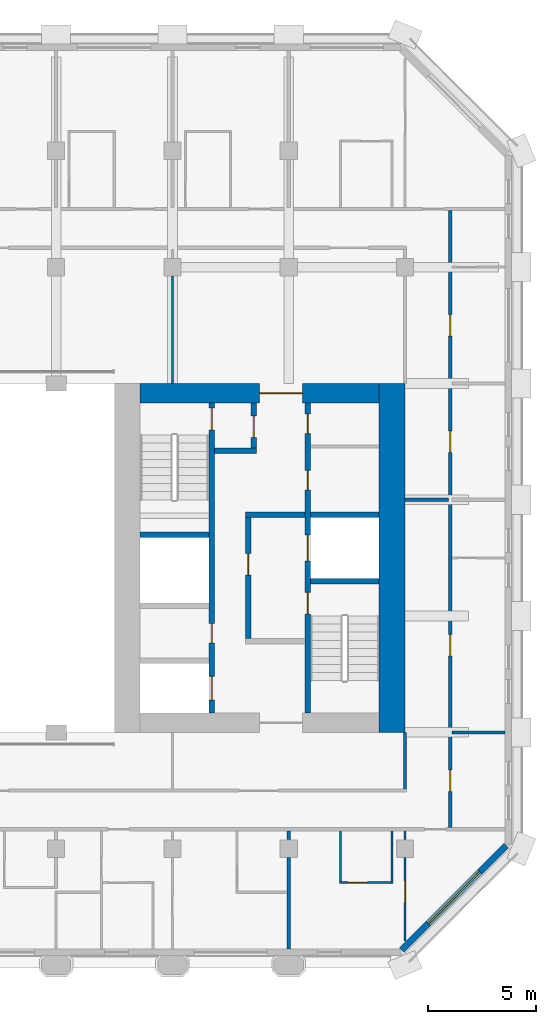
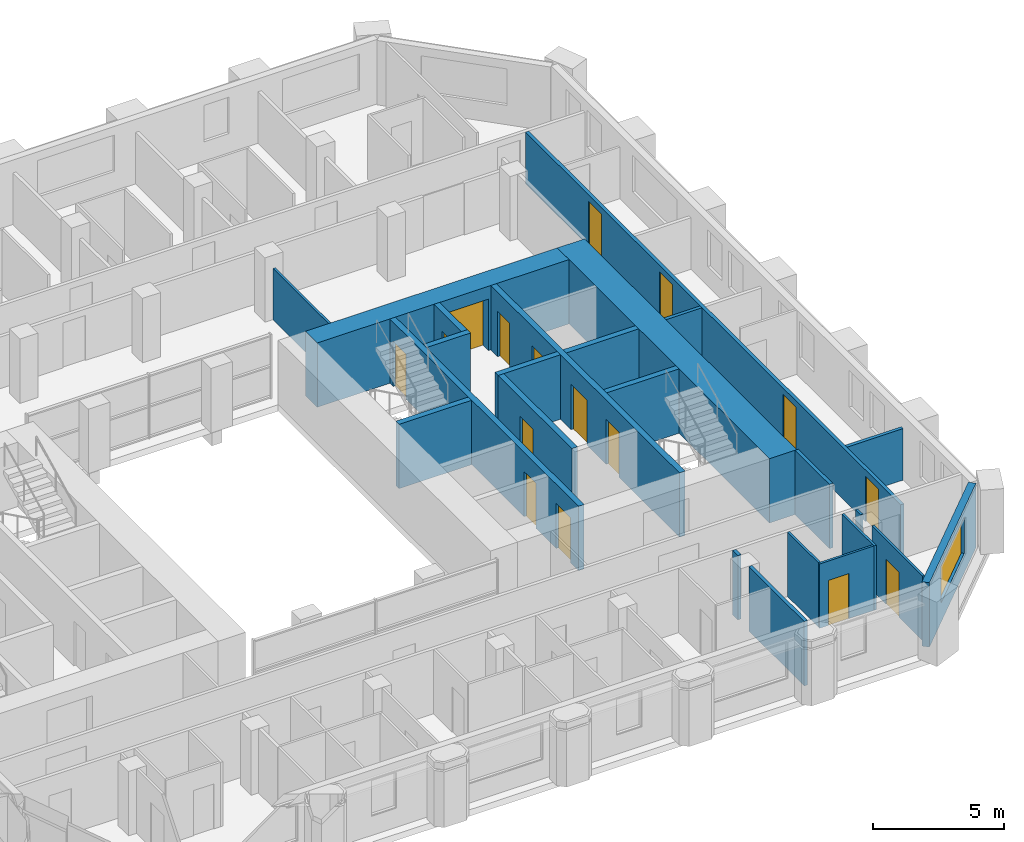
# One storey, part 6 of 12: 24 walls, 16 doors, 1 window, 17 openings.
"""IFC4 building model written with IfcOpenShell, lengths in metres."""

from ifc_helpers import new_model, si_unit, direction, frame, frame_2d, origin, place, context, subcontext, project, spatial, rectangle, extrude, material, layer, layer_set, type_object, element, fill, save


model = new_model("IFC4")

# Units and contexts
model_context = context("Model", 3, precision=1e-05, world=origin(), true_north=direction((0.0, 1.0)))
body_context = subcontext(model_context, "Body", "Model", "MODEL_VIEW")
ifc_project = project(units=[si_unit("LENGTHUNIT", "METRE"), si_unit("AREAUNIT", "SQUARE_METRE"), si_unit("VOLUMEUNIT", "CUBIC_METRE"), si_unit("PLANEANGLEUNIT", "RADIAN"), si_unit("MASSUNIT", "GRAM", prefix="KILO")], contexts=[model_context])

# Site, building, storey
site_placement = place(None, origin())
site = spatial("IfcSite", under=ifc_project, at=site_placement, CompositionType="ELEMENT")
building_placement = place(site_placement, origin())
building = spatial("IfcBuilding", under=site, at=building_placement, Name="Tabaq Tower and Sports Hall", CompositionType="ELEMENT")
storey_placement = place(building_placement, frame((0.0, 0.0, 187.300048828125)))
storey = spatial("IfcBuildingStorey", under=building, at=storey_placement, Name="L45", CompositionType="ELEMENT", Elevation=187.300048828125)

# Wall
ifc_material_1 = material(Name="Concrete C50/60", Category="concrete")
ifc_layer_1 = layer(ifc_material_1, 1.199951171875)
ifc_layer_set_1 = layer_set([ifc_layer_1], Name="Core wall 1200 Concrete C50/60")
wall_type_1 = type_object("IfcWallType", Name="Core wall 1200 Concrete C50/60", PredefinedType="SOLIDWALL", material=ifc_layer_set_1)
wall_1_placement = place(storey_placement, frame((42.60009765625, 32.39990234375, 0.0), z_axis=(0.0, 0.0, 1.0), x_axis=(0.0, -1.0, 0.0)))
element("IfcWall", 1, at=wall_1_placement, inside=storey, type_object=wall_type_1, Name="Core wall E L45", PredefinedType="SOLIDWALL", context=body_context, shape_type="SweptSolid", body=[
    extrude(rectangle(XDim=16.199951171875, YDim=1.199951171875, at=frame_2d((8.10009765625, 0.0))), origin(), (0.0, 0.0, 1.0), 3.0),
])

# Wall, opening, door
ifc_material_2 = material(Name="Concrete C50/60", Category="concrete")
ifc_layer_2 = layer(ifc_material_2, 0.89990234375)
ifc_layer_set_2 = layer_set([ifc_layer_2], Name="Core wall 900 Concrete C50/60")
wall_type_2 = type_object("IfcWallType", Name="Core wall 900 Concrete C50/60", PredefinedType="SOLIDWALL", material=ifc_layer_set_2)
wall_2_placement = place(storey_placement, frame((30.89990234375, 31.949951171875, 0.0), z_axis=(0.0, 0.0, 1.0), x_axis=(1.0, 0.0, 0.0)))
wall_2 = element("IfcWall", 2, at=wall_2_placement, inside=storey, type_object=wall_type_2, Name="Core wall E L45", PredefinedType="SOLIDWALL", context=body_context, shape_type="SweptSolid", body=[
    extrude(rectangle(XDim=11.10009765625, YDim=0.89990234375, at=frame_2d((5.550048828125, 0.0))), origin(), (0.0, 0.0, 1.0), 3.0),
])
opening_1_placement = place(wall_2_placement, frame((5.550048828125, 0.0, 0.0)))
opening_1 = element("IfcOpeningElement", 3, at=opening_1_placement, cuts=wall_2, Name="Opening PD-EL45-02", PredefinedType="OPENING", context=body_context, shape_type="SweptSolid", body=[
    extrude(rectangle(XDim=2.0, YDim=2.39990234375, at=frame_2d((1.0, 1.199951171875))), frame((0.0, 0.449951171875, 0.0), z_axis=(0.0, -1.0, 0.0), x_axis=(1.0, 0.0, 0.0)), (0.0, 0.0, 1.0), 0.89990234375),
])
ifc_material_3 = material(Name="Steel fire door", Category="steel")
door_type_1 = type_object("IfcDoorType", Name="Core entrance door 2000", OperationType="DOUBLE_DOOR_SINGLE_SWING", PredefinedType="DOOR", material=ifc_material_3)
door_1_placement = place(opening_1_placement, origin())
door_1 = element("IfcDoor", 4, at=door_1_placement, inside=storey, type_object=door_type_1, Name="Core entrance north E L45", OperationType="DOUBLE_DOOR_SINGLE_SWING", OverallHeight=2.39990234375, OverallWidth=2.0, PredefinedType="DOOR", context=body_context, shape_type="SweptSolid", body=[
    extrude(rectangle(XDim=2.0, YDim=2.39990234375, at=frame_2d((1.0, 1.199951171875))), frame((0.0, 0.02490234375, 0.0), z_axis=(0.0, -1.0, 0.0), x_axis=(1.0, 0.0, 0.0)), (0.0, 0.0, 1.0), 0.050048828125),
])
fill(opening_1, door_1)

# Wall
ifc_material_4 = material(Name="Gypsum board on steel studs", Category="steel")
ifc_layer_3 = layer(ifc_material_4, 0.10009765625)
ifc_layer_set_3 = layer_set([ifc_layer_3], Name="Partition 100 Gypsum board")
wall_type_3 = type_object("IfcWallType", Name="Partition 100 Gypsum board", PredefinedType="PARTITIONING", material=ifc_layer_set_3)
wall_3_placement = place(storey_placement, frame((32.39990234375, 32.39990234375, 0.0), z_axis=(0.0, 0.0, 1.0), x_axis=(0.0, 1.0, 0.0)))
element("IfcWall", 5, at=wall_3_placement, inside=storey, type_object=wall_type_3, Name="Partition wall L45", PredefinedType="PARTITIONING", context=body_context, shape_type="SweptSolid", body=[
    extrude(rectangle(XDim=4.97998046875, YDim=0.10009765625, at=frame_2d((2.489990234375, 0.0))), origin(), (0.0, 0.0, 1.0), 2.39990234375),
])

# Wall, opening, door
wall_4_placement = place(storey_placement, frame((43.199951171875, 6.51220703125, 0.0), z_axis=(0.0, 0.0, 1.0), x_axis=(0.0, 1.0, 0.0)))
wall_4 = element("IfcWall", 6, at=wall_4_placement, inside=storey, type_object=wall_type_3, Name="Partition wall L45", PredefinedType="PARTITIONING", context=body_context, shape_type="SweptSolid", body=[
    extrude(rectangle(XDim=3.86767578125, YDim=0.10009765625, at=frame_2d((1.933837890625, 0.0))), origin(), (0.0, 0.0, 1.0), 3.0),
])
opening_2_placement = place(wall_4_placement, frame((1.80029296875, 0.0, 0.0)))
opening_2 = element("IfcOpeningElement", 7, at=opening_2_placement, cuts=wall_4, Name="Opening L45-037", PredefinedType="OPENING", context=body_context, shape_type="SweptSolid", body=[
    extrude(rectangle(XDim=1.0, YDim=2.10009765625, at=frame_2d((0.5, 1.050048828125))), frame((0.0, 0.050048828125, 0.0), z_axis=(0.0, -1.0, 0.0), x_axis=(1.0, 0.0, 0.0)), (0.0, 0.0, 1.0), 0.10009765625),
])
ifc_material_5 = material(Name="Timber leaf in steel frame", Category="steel")
door_type_2 = type_object("IfcDoorType", Name="Internal door 1000 left hand", OperationType="SINGLE_SWING_LEFT", PredefinedType="DOOR", material=ifc_material_5)
door_2_placement = place(opening_2_placement, origin())
door_2 = element("IfcDoor", 8, at=door_2_placement, inside=storey, type_object=door_type_2, Name="Internal door L45-037", OperationType="SINGLE_SWING_LEFT", OverallHeight=2.10009765625, OverallWidth=1.0, PredefinedType="DOOR", context=body_context, shape_type="SweptSolid", body=[
    extrude(rectangle(XDim=1.0, YDim=2.10009765625, at=frame_2d((0.5, 1.050048828125))), frame((0.0, 0.02490234375, 0.0), z_axis=(0.0, -1.0, 0.0), x_axis=(1.0, 0.0, 0.0)), (0.0, 0.0, 1.0), 0.050048828125),
])
fill(opening_2, door_2)

# Walls
wall_5_placement = place(storey_placement, frame((43.199951171875, 11.219970703125, 0.0), z_axis=(0.0, 0.0, 1.0), x_axis=(0.0, 1.0, 0.0)))
element("IfcWall", 9, at=wall_5_placement, inside=storey, type_object=wall_type_3, Name="Partition wall L45", PredefinedType="PARTITIONING", context=body_context, shape_type="SweptSolid", body=[
    extrude(rectangle(XDim=0.405029296875, YDim=0.10009765625, at=frame_2d((0.20263671875, 0.0))), origin(), (0.0, 0.0, 1.0), 3.0),
])
wall_6_placement = place(storey_placement, frame((42.60009765625, 11.625, 0.0), z_axis=(0.0, 0.0, 1.0), x_axis=(0.0, -1.0, 0.0)))
element("IfcWall", 10, at=wall_6_placement, inside=storey, type_object=wall_type_3, Name="Partition wall L45", PredefinedType="PARTITIONING", context=body_context, shape_type="SweptSolid", body=[
    extrude(rectangle(XDim=2.449951171875, YDim=0.10009765625, at=frame_2d((1.22509765625, 0.0))), origin(), (0.0, 0.0, 1.0), 3.0),
])

# Wall, opening, door
wall_7_placement = place(storey_placement, frame((42.550048828125, 9.22509765625, 0.0), z_axis=(0.0, 0.0, 1.0), x_axis=(-1.0, 0.0, 0.0)))
wall_7 = element("IfcWall", 11, at=wall_7_placement, inside=storey, type_object=wall_type_3, Name="Partition wall L45", PredefinedType="PARTITIONING", context=body_context, shape_type="SweptSolid", body=[
    extrude(rectangle(XDim=2.400146484375, YDim=0.10009765625, at=frame_2d((1.2001953125, 0.0))), origin(), (0.0, 0.0, 1.0), 3.0),
])
opening_3_placement = place(wall_7_placement, frame((1.10009765625, 0.0, 0.0)))
opening_3 = element("IfcOpeningElement", 12, at=opening_3_placement, cuts=wall_7, Name="Opening L45-019", PredefinedType="OPENING", context=body_context, shape_type="SweptSolid", body=[
    extrude(rectangle(XDim=0.89990234375, YDim=2.10009765625, at=frame_2d((0.449951171875, 1.050048828125))), frame((0.0, 0.050048828125, 0.0), z_axis=(0.0, -1.0, 0.0), x_axis=(1.0, 0.0, 0.0)), (0.0, 0.0, 1.0), 0.10009765625),
])
ifc_material_6 = material(Name="Timber leaf in steel frame", Category="steel")
door_type_3 = type_object("IfcDoorType", Name="Internal door 900 left hand", OperationType="SINGLE_SWING_LEFT", PredefinedType="DOOR", material=ifc_material_6)
door_3_placement = place(opening_3_placement, origin())
door_3 = element("IfcDoor", 13, at=door_3_placement, inside=storey, type_object=door_type_3, Name="Internal door L45-019", OperationType="SINGLE_SWING_LEFT", OverallHeight=2.10009765625, OverallWidth=0.89990234375, PredefinedType="DOOR", context=body_context, shape_type="SweptSolid", body=[
    extrude(rectangle(XDim=0.89990234375, YDim=2.10009765625, at=frame_2d((0.449951171875, 1.050048828125))), frame((0.0, 0.02490234375, 0.0), z_axis=(0.0, -1.0, 0.0), x_axis=(1.0, 0.0, 0.0)), (0.0, 0.0, 1.0), 0.050048828125),
])
fill(opening_3, door_3)

# Walls
wall_8_placement = place(storey_placement, frame((40.199951171875, 9.27490234375, 0.0), z_axis=(0.0, 0.0, 1.0), x_axis=(0.0, 1.0, 0.0)))
element("IfcWall", 14, at=wall_8_placement, inside=storey, type_object=wall_type_3, Name="Partition wall L45", PredefinedType="PARTITIONING", context=body_context, shape_type="SweptSolid", body=[
    extrude(rectangle(XDim=2.35009765625, YDim=0.10009765625, at=frame_2d((1.175048828125, 0.0))), origin(), (0.0, 0.0, 1.0), 3.0),
])
ifc_material_7 = material(Name="Blockwork", Category="masonry")
ifc_layer_4 = layer(ifc_material_7, 0.14990234375)
ifc_layer_set_4 = layer_set([ifc_layer_4], Name="Separating wall 150 Blockwork")
wall_type_4 = type_object("IfcWallType", Name="Separating wall 150 Blockwork", PredefinedType="PARTITIONING", material=ifc_layer_set_4)
wall_9_placement = place(storey_placement, frame((43.199951171875, 27.0, 0.0), z_axis=(0.0, 0.0, 1.0), x_axis=(1.0, 0.0, 0.0)))
element("IfcWall", 15, at=wall_9_placement, inside=storey, type_object=wall_type_4, Name="Separating wall L45", PredefinedType="PARTITIONING", context=body_context, shape_type="SweptSolid", body=[
    extrude(rectangle(XDim=2.025146484375, YDim=0.14990234375, at=frame_2d((1.0126953125, 0.0))), origin(), (0.0, 0.0, 1.0), 2.39990234375),
])
wall_10_placement = place(storey_placement, frame((47.84912109375, 16.199951171875, 0.0), z_axis=(0.0, 0.0, 1.0), x_axis=(-1.0, 0.0, 0.0)))
element("IfcWall", 16, at=wall_10_placement, inside=storey, type_object=wall_type_4, Name="Separating wall L45", PredefinedType="PARTITIONING", context=body_context, shape_type="SweptSolid", body=[
    extrude(rectangle(XDim=2.47412109375, YDim=0.14990234375, at=frame_2d((1.237060546875, 0.0))), origin(), (0.0, 0.0, 1.0), 2.39990234375),
])
wall_11_placement = place(storey_placement, frame((37.800048828125, 6.15087890625, 0.0), z_axis=(0.0, 0.0, 1.0), x_axis=(0.0, 1.0, 0.0)))
element("IfcWall", 17, at=wall_11_placement, inside=storey, type_object=wall_type_4, Name="Separating wall L45", PredefinedType="PARTITIONING", context=body_context, shape_type="SweptSolid", body=[
    extrude(rectangle(XDim=4.22900390625, YDim=0.14990234375, at=frame_2d((2.114501953125, 0.0))), origin(), (0.0, 0.0, 1.0), 3.0),
])
wall_12_placement = place(storey_placement, frame((37.800048828125, 11.219970703125, 0.0), z_axis=(0.0, 0.0, 1.0), x_axis=(0.0, 1.0, 0.0)))
element("IfcWall", 18, at=wall_12_placement, inside=storey, type_object=wall_type_4, Name="Separating wall L45", PredefinedType="PARTITIONING", context=body_context, shape_type="SweptSolid", body=[
    extrude(rectangle(XDim=0.405029296875, YDim=0.14990234375, at=frame_2d((0.20263671875, 0.0))), origin(), (0.0, 0.0, 1.0), 3.0),
])

# Wall, openings, doors
wall_13_placement = place(storey_placement, frame((45.300048828125, 40.425048828125, 0.0), z_axis=(0.0, 0.0, 1.0), x_axis=(0.0, -1.0, 0.0)))
wall_13 = element("IfcWall", 19, at=wall_13_placement, inside=storey, type_object=wall_type_4, Name="Separating wall L45", PredefinedType="PARTITIONING", context=body_context, shape_type="SweptSolid", body=[
    extrude(rectangle(XDim=28.650146484375, YDim=0.14990234375, at=frame_2d((14.3251953125, 0.0))), origin(), (0.0, 0.0, 1.0), 2.39990234375),
])
opening_4_placement = place(wall_13_placement, frame((10.22509765625, 0.0, 0.0)))
opening_4 = element("IfcOpeningElement", 20, at=opening_4_placement, cuts=wall_13, Name="Opening L45-010", PredefinedType="OPENING", context=body_context, shape_type="SweptSolid", body=[
    extrude(rectangle(XDim=1.0, YDim=2.10009765625, at=frame_2d((0.5, 1.050048828125))), frame((0.0, 0.074951171875, 0.0), z_axis=(0.0, -1.0, 0.0), x_axis=(1.0, 0.0, 0.0)), (0.0, 0.0, 1.0), 0.14990234375),
])
opening_5_placement = place(wall_13_placement, frame((25.97509765625, 0.0, 0.0)))
opening_5 = element("IfcOpeningElement", 21, at=opening_5_placement, cuts=wall_13, Name="Opening L45-011", PredefinedType="OPENING", context=body_context, shape_type="SweptSolid", body=[
    extrude(rectangle(XDim=1.0, YDim=2.10009765625, at=frame_2d((0.5, 1.050048828125))), frame((0.0, 0.074951171875, 0.0), z_axis=(0.0, -1.0, 0.0), x_axis=(1.0, 0.0, 0.0)), (0.0, 0.0, 1.0), 0.14990234375),
])
opening_6_placement = place(wall_13_placement, frame((4.824951171875, 0.0, 0.0)))
opening_6 = element("IfcOpeningElement", 22, at=opening_6_placement, cuts=wall_13, Name="Opening L45-022", PredefinedType="OPENING", context=body_context, shape_type="SweptSolid", body=[
    extrude(rectangle(XDim=1.0, YDim=2.10009765625, at=frame_2d((0.5, 1.050048828125))), frame((0.0, 0.074951171875, 0.0), z_axis=(0.0, -1.0, 0.0), x_axis=(1.0, 0.0, 0.0)), (0.0, 0.0, 1.0), 0.14990234375),
])
opening_7_placement = place(wall_13_placement, frame((19.675048828125, 0.0, 0.0)))
opening_7 = element("IfcOpeningElement", 23, at=opening_7_placement, cuts=wall_13, Name="Opening L45-039", PredefinedType="OPENING", context=body_context, shape_type="SweptSolid", body=[
    extrude(rectangle(XDim=1.0, YDim=2.10009765625, at=frame_2d((0.5, 1.050048828125))), frame((0.0, 0.074951171875, 0.0), z_axis=(0.0, -1.0, 0.0), x_axis=(1.0, 0.0, 0.0)), (0.0, 0.0, 1.0), 0.14990234375),
])
ifc_material_8 = material(Name="Steel fire door", Category="steel")
door_type_4 = type_object("IfcDoorType", Name="Entrance door 1000 right hand", OperationType="SINGLE_SWING_RIGHT", PredefinedType="DOOR", material=ifc_material_8)
door_4_placement = place(opening_6_placement, origin())
door_4 = element("IfcDoor", 24, at=door_4_placement, inside=storey, type_object=door_type_4, Name="Entrance door L45-022", OperationType="SINGLE_SWING_RIGHT", OverallHeight=2.10009765625, OverallWidth=1.0, PredefinedType="DOOR", context=body_context, shape_type="SweptSolid", body=[
    extrude(rectangle(XDim=1.0, YDim=2.10009765625, at=frame_2d((0.5, 1.050048828125))), frame((0.0, 0.02490234375, 0.0), z_axis=(0.0, -1.0, 0.0), x_axis=(1.0, 0.0, 0.0)), (0.0, 0.0, 1.0), 0.050048828125),
])
fill(opening_6, door_4)
door_5_placement = place(opening_7_placement, origin())
door_5 = element("IfcDoor", 25, at=door_5_placement, inside=storey, type_object=door_type_4, Name="Entrance door L45-039", OperationType="SINGLE_SWING_RIGHT", OverallHeight=2.10009765625, OverallWidth=1.0, PredefinedType="DOOR", context=body_context, shape_type="SweptSolid", body=[
    extrude(rectangle(XDim=1.0, YDim=2.10009765625, at=frame_2d((0.5, 1.050048828125))), frame((0.0, 0.02490234375, 0.0), z_axis=(0.0, -1.0, 0.0), x_axis=(1.0, 0.0, 0.0)), (0.0, 0.0, 1.0), 0.050048828125),
])
fill(opening_7, door_5)
door_6_placement = place(opening_5_placement, origin())
door_6 = element("IfcDoor", 26, at=door_6_placement, inside=storey, type_object=door_type_2, Name="Internal door L45-011", OperationType="SINGLE_SWING_LEFT", OverallHeight=2.10009765625, OverallWidth=1.0, PredefinedType="DOOR", context=body_context, shape_type="SweptSolid", body=[
    extrude(rectangle(XDim=1.0, YDim=2.10009765625, at=frame_2d((0.5, 1.050048828125))), frame((0.0, 0.02490234375, 0.0), z_axis=(0.0, -1.0, 0.0), x_axis=(1.0, 0.0, 0.0)), (0.0, 0.0, 1.0), 0.050048828125),
])
fill(opening_5, door_6)
ifc_material_9 = material(Name="Timber leaf in steel frame", Category="steel")
door_type_5 = type_object("IfcDoorType", Name="Internal door 1000 right hand", OperationType="SINGLE_SWING_RIGHT", PredefinedType="DOOR", material=ifc_material_9)
door_7_placement = place(opening_4_placement, origin())
door_7 = element("IfcDoor", 27, at=door_7_placement, inside=storey, type_object=door_type_5, Name="Internal door L45-010", OperationType="SINGLE_SWING_RIGHT", OverallHeight=2.10009765625, OverallWidth=1.0, PredefinedType="DOOR", context=body_context, shape_type="SweptSolid", body=[
    extrude(rectangle(XDim=1.0, YDim=2.10009765625, at=frame_2d((0.5, 1.050048828125))), frame((0.0, 0.02490234375, 0.0), z_axis=(0.0, -1.0, 0.0), x_axis=(1.0, 0.0, 0.0)), (0.0, 0.0, 1.0), 0.050048828125),
])
fill(opening_4, door_7)

# Wall
wall_14_placement = place(storey_placement, frame((43.199951171875, 13.574951171875, 0.0), z_axis=(0.0, 0.0, 1.0), x_axis=(0.0, 1.0, 0.0)))
element("IfcWall", 28, at=wall_14_placement, inside=storey, type_object=wall_type_4, Name="Separating wall L45", PredefinedType="PARTITIONING", context=body_context, shape_type="SweptSolid", body=[
    extrude(rectangle(XDim=2.625, YDim=0.14990234375, at=frame_2d((1.3125, 0.0))), origin(), (0.0, 0.0, 1.0), 3.0),
])

# Wall, openings, doors
ifc_material_10 = material(Name="Concrete C40/50", Category="concrete")
ifc_layer_5 = layer(ifc_material_10, 0.25)
ifc_layer_set_5 = layer_set([ifc_layer_5], Name="Shaft and stair wall 250 Concrete C40/50")
wall_type_5 = type_object("IfcWallType", Name="Shaft and stair wall 250 Concrete C40/50", PredefinedType="SOLIDWALL", material=ifc_layer_set_5)
wall_15_placement = place(storey_placement, frame((38.675048828125, 17.10009765625, 0.0), z_axis=(0.0, 0.0, 1.0), x_axis=(0.0, 1.0, 0.0)))
wall_15 = element("IfcWall", 29, at=wall_15_placement, inside=storey, type_object=wall_type_5, Name="Shaft wall E L45", PredefinedType="SOLIDWALL", context=body_context, shape_type="SweptSolid", body=[
    extrude(rectangle(XDim=14.39990234375, YDim=0.25, at=frame_2d((7.199951171875, 0.0))), origin(), (0.0, 0.0, 1.0), 3.0),
])
opening_8_placement = place(wall_15_placement, frame((4.60009765625, 0.0, 0.0)))
opening_8 = element("IfcOpeningElement", 30, at=opening_8_placement, cuts=wall_15, Name="Opening SD-EL45-03", PredefinedType="OPENING", context=body_context, shape_type="SweptSolid", body=[
    extrude(rectangle(XDim=1.0, YDim=2.10009765625, at=frame_2d((0.5, 1.050048828125))), frame((0.0, 0.125, 0.0), z_axis=(0.0, -1.0, 0.0), x_axis=(1.0, 0.0, 0.0)), (0.0, 0.0, 1.0), 0.25),
])
opening_9_placement = place(wall_15_placement, frame((7.0625, 0.0, 0.0)))
opening_9 = element("IfcOpeningElement", 31, at=opening_9_placement, cuts=wall_15, Name="Opening LD-FF2-L45", PredefinedType="OPENING", context=body_context, shape_type="SweptSolid", body=[
    extrude(rectangle(XDim=1.199951171875, YDim=2.10009765625, at=frame_2d((0.60009765625, 1.050048828125))), frame((0.0, 0.125, 0.0), z_axis=(0.0, -1.0, 0.0), x_axis=(1.0, 0.0, 0.0)), (0.0, 0.0, 1.0), 0.25),
])
opening_10_placement = place(wall_15_placement, frame((10.360107421875, 0.0, 0.0)))
opening_10 = element("IfcOpeningElement", 32, at=opening_10_placement, cuts=wall_15, Name="Opening RD-EL45-09", PredefinedType="OPENING", context=body_context, shape_type="SweptSolid", body=[
    extrude(rectangle(XDim=0.89990234375, YDim=2.10009765625, at=frame_2d((0.449951171875, 1.050048828125))), frame((0.0, 0.125, 0.0), z_axis=(0.0, -1.0, 0.0), x_axis=(1.0, 0.0, 0.0)), (0.0, 0.0, 1.0), 0.25),
])
opening_11_placement = place(wall_15_placement, frame((12.972412109375, 0.0, 0.0)))
opening_11 = element("IfcOpeningElement", 33, at=opening_11_placement, cuts=wall_15, Name="Opening RD-EL45-10", PredefinedType="OPENING", context=body_context, shape_type="SweptSolid", body=[
    extrude(rectangle(XDim=0.89990234375, YDim=2.10009765625, at=frame_2d((0.449951171875, 1.050048828125))), frame((0.0, 0.125, 0.0), z_axis=(0.0, -1.0, 0.0), x_axis=(1.0, 0.0, 0.0)), (0.0, 0.0, 1.0), 0.25),
])
ifc_material_11 = material(Name="Steel fire door", Category="steel")
door_type_6 = type_object("IfcDoorType", Name="Core room door 900", OperationType="SINGLE_SWING_LEFT", PredefinedType="DOOR", material=ifc_material_11)
door_8_placement = place(opening_10_placement, origin())
door_8 = element("IfcDoor", 34, at=door_8_placement, inside=storey, type_object=door_type_6, Name="Door Housekeeping Store E L45", OperationType="SINGLE_SWING_LEFT", OverallHeight=2.10009765625, OverallWidth=0.89990234375, PredefinedType="DOOR", context=body_context, shape_type="SweptSolid", body=[
    extrude(rectangle(XDim=0.89990234375, YDim=2.10009765625, at=frame_2d((0.449951171875, 1.050048828125))), frame((0.0, 0.02490234375, 0.0), z_axis=(0.0, -1.0, 0.0), x_axis=(1.0, 0.0, 0.0)), (0.0, 0.0, 1.0), 0.050048828125),
])
fill(opening_10, door_8)
door_9_placement = place(opening_11_placement, origin())
door_9 = element("IfcDoor", 35, at=door_9_placement, inside=storey, type_object=door_type_6, Name="Door Accessible WC E L45", OperationType="SINGLE_SWING_LEFT", OverallHeight=2.10009765625, OverallWidth=0.89990234375, PredefinedType="DOOR", context=body_context, shape_type="SweptSolid", body=[
    extrude(rectangle(XDim=0.89990234375, YDim=2.10009765625, at=frame_2d((0.449951171875, 1.050048828125))), frame((0.0, 0.02490234375, 0.0), z_axis=(0.0, -1.0, 0.0), x_axis=(1.0, 0.0, 0.0)), (0.0, 0.0, 1.0), 0.050048828125),
])
fill(opening_11, door_9)
ifc_material_12 = material(Name="Stainless steel", Category="steel")
door_type_7 = type_object("IfcDoorType", Name="Lift landing door 1200", OperationType="DOUBLE_DOOR_SLIDING", PredefinedType="DOOR", material=ifc_material_12)
door_10_placement = place(opening_9_placement, origin())
door_10 = element("IfcDoor", 36, at=door_10_placement, inside=storey, type_object=door_type_7, Name="Lift landing door FF2 E L45", OperationType="DOUBLE_DOOR_SLIDING", OverallHeight=2.10009765625, OverallWidth=1.199951171875, PredefinedType="DOOR", context=body_context, shape_type="SweptSolid", body=[
    extrude(rectangle(XDim=1.199951171875, YDim=2.10009765625, at=frame_2d((0.60009765625, 1.050048828125))), frame((0.0, 0.02490234375, 0.0), z_axis=(0.0, -1.0, 0.0), x_axis=(1.0, 0.0, 0.0)), (0.0, 0.0, 1.0), 0.050048828125),
])
fill(opening_9, door_10)
ifc_material_13 = material(Name="Steel fire door", Category="steel")
door_type_8 = type_object("IfcDoorType", Name="Stair door 1000", OperationType="SINGLE_SWING_LEFT", PredefinedType="DOOR", material=ifc_material_13)
door_11_placement = place(opening_8_placement, origin())
door_11 = element("IfcDoor", 37, at=door_11_placement, inside=storey, type_object=door_type_8, Name="Stair door ST3 E L45", OperationType="SINGLE_SWING_LEFT", OverallHeight=2.10009765625, OverallWidth=1.0, PredefinedType="DOOR", context=body_context, shape_type="SweptSolid", body=[
    extrude(rectangle(XDim=1.0, YDim=2.10009765625, at=frame_2d((0.5, 1.050048828125))), frame((0.0, 0.02490234375, 0.0), z_axis=(0.0, -1.0, 0.0), x_axis=(1.0, 0.0, 0.0)), (0.0, 0.0, 1.0), 0.050048828125),
])
fill(opening_8, door_11)

wall_16_placement = place(storey_placement, frame((34.22509765625, 17.10009765625, 0.0), z_axis=(0.0, 0.0, 1.0), x_axis=(0.0, 1.0, 0.0)))
wall_16 = element("IfcWall", 38, at=wall_16_placement, inside=storey, type_object=wall_type_5, Name="Shaft wall E L45", PredefinedType="SOLIDWALL", context=body_context, shape_type="SweptSolid", body=[
    extrude(rectangle(XDim=14.39990234375, YDim=0.25, at=frame_2d((7.199951171875, 0.0))), origin(), (0.0, 0.0, 1.0), 3.0),
])
opening_12_placement = place(wall_16_placement, frame((13.14990234375, 0.0, 0.0)))
opening_12 = element("IfcOpeningElement", 39, at=opening_12_placement, cuts=wall_16, Name="Opening SD-EL45-05", PredefinedType="OPENING", context=body_context, shape_type="SweptSolid", body=[
    extrude(rectangle(XDim=1.0, YDim=2.10009765625, at=frame_2d((0.5, 1.050048828125))), frame((0.0, 0.125, 0.0), z_axis=(0.0, -1.0, 0.0), x_axis=(1.0, 0.0, 0.0)), (0.0, 0.0, 1.0), 0.25),
])
opening_13_placement = place(wall_16_placement, frame((0.60009765625, 0.0, 0.0)))
opening_13 = element("IfcOpeningElement", 40, at=opening_13_placement, cuts=wall_16, Name="Opening LD-MR2-L45", PredefinedType="OPENING", context=body_context, shape_type="SweptSolid", body=[
    extrude(rectangle(XDim=1.10009765625, YDim=2.10009765625, at=frame_2d((0.550048828125, 1.050048828125))), frame((0.0, 0.125, 0.0), z_axis=(0.0, -1.0, 0.0), x_axis=(1.0, 0.0, 0.0)), (0.0, 0.0, 1.0), 0.25),
])
opening_14_placement = place(wall_16_placement, frame((3.25, 0.0, 0.0)))
opening_14 = element("IfcOpeningElement", 41, at=opening_14_placement, cuts=wall_16, Name="Opening RD-EL45-11", PredefinedType="OPENING", context=body_context, shape_type="SweptSolid", body=[
    extrude(rectangle(XDim=0.89990234375, YDim=2.10009765625, at=frame_2d((0.449951171875, 1.050048828125))), frame((0.0, 0.125, 0.0), z_axis=(0.0, -1.0, 0.0), x_axis=(1.0, 0.0, 0.0)), (0.0, 0.0, 1.0), 0.25),
])
door_12_placement = place(opening_14_placement, origin())
door_12 = element("IfcDoor", 42, at=door_12_placement, inside=storey, type_object=door_type_6, Name="Door Cleaner's Store E L45", OperationType="SINGLE_SWING_LEFT", OverallHeight=2.10009765625, OverallWidth=0.89990234375, PredefinedType="DOOR", context=body_context, shape_type="SweptSolid", body=[
    extrude(rectangle(XDim=0.89990234375, YDim=2.10009765625, at=frame_2d((0.449951171875, 1.050048828125))), frame((0.0, 0.02490234375, 0.0), z_axis=(0.0, -1.0, 0.0), x_axis=(1.0, 0.0, 0.0)), (0.0, 0.0, 1.0), 0.050048828125),
])
fill(opening_14, door_12)
ifc_material_14 = material(Name="Stainless steel", Category="steel")
door_type_9 = type_object("IfcDoorType", Name="Lift landing door 1100", OperationType="DOUBLE_DOOR_SLIDING", PredefinedType="DOOR", material=ifc_material_14)
door_13_placement = place(opening_13_placement, origin())
door_13 = element("IfcDoor", 43, at=door_13_placement, inside=storey, type_object=door_type_9, Name="Lift landing door MR2 E L45", OperationType="DOUBLE_DOOR_SLIDING", OverallHeight=2.10009765625, OverallWidth=1.10009765625, PredefinedType="DOOR", context=body_context, shape_type="SweptSolid", body=[
    extrude(rectangle(XDim=1.10009765625, YDim=2.10009765625, at=frame_2d((0.550048828125, 1.050048828125))), frame((0.0, 0.02490234375, 0.0), z_axis=(0.0, -1.0, 0.0), x_axis=(1.0, 0.0, 0.0)), (0.0, 0.0, 1.0), 0.050048828125),
])
fill(opening_13, door_13)
door_14_placement = place(opening_12_placement, origin())
door_14 = element("IfcDoor", 44, at=door_14_placement, inside=storey, type_object=door_type_8, Name="Stair door ST4 E L45", OperationType="SINGLE_SWING_LEFT", OverallHeight=2.10009765625, OverallWidth=1.0, PredefinedType="DOOR", context=body_context, shape_type="SweptSolid", body=[
    extrude(rectangle(XDim=1.0, YDim=2.10009765625, at=frame_2d((0.5, 1.050048828125))), frame((0.0, 0.02490234375, 0.0), z_axis=(0.0, -1.0, 0.0), x_axis=(1.0, 0.0, 0.0)), (0.0, 0.0, 1.0), 0.050048828125),
])
fill(opening_12, door_14)

# Walls
wall_17_placement = place(storey_placement, frame((38.800048828125, 23.22509765625, 0.0), z_axis=(0.0, 0.0, 1.0), x_axis=(1.0, 0.0, 0.0)))
element("IfcWall", 45, at=wall_17_placement, inside=storey, type_object=wall_type_5, Name="Stair enclosure wall E L45", PredefinedType="SOLIDWALL", context=body_context, shape_type="SweptSolid", body=[
    extrude(rectangle(XDim=3.199951171875, YDim=0.25, at=frame_2d((1.60009765625, 0.0))), origin(), (0.0, 0.0, 1.0), 3.0),
])
wall_18_placement = place(storey_placement, frame((30.89990234375, 25.375, 0.0), z_axis=(0.0, 0.0, 1.0), x_axis=(1.0, 0.0, 0.0)))
element("IfcWall", 46, at=wall_18_placement, inside=storey, type_object=wall_type_5, Name="Stair enclosure wall E L45", PredefinedType="SOLIDWALL", context=body_context, shape_type="SweptSolid", body=[
    extrude(rectangle(XDim=3.2001953125, YDim=0.25, at=frame_2d((1.60009765625, 0.0))), origin(), (0.0, 0.0, 1.0), 3.0),
])
wall_19_placement = place(storey_placement, frame((38.800048828125, 26.300048828125, 0.0), z_axis=(0.0, 0.0, 1.0), x_axis=(1.0, 0.0, 0.0)))
element("IfcWall", 47, at=wall_19_placement, inside=storey, type_object=wall_type_5, Name="Shaft wall E L45", PredefinedType="SOLIDWALL", context=body_context, shape_type="SweptSolid", body=[
    extrude(rectangle(XDim=3.199951171875, YDim=0.25, at=frame_2d((1.60009765625, 0.0))), origin(), (0.0, 0.0, 1.0), 3.0),
])
wall_20_placement = place(storey_placement, frame((35.800048828125, 26.300048828125, 0.0), z_axis=(0.0, 0.0, 1.0), x_axis=(1.0, 0.0, 0.0)))
element("IfcWall", 48, at=wall_20_placement, inside=storey, type_object=wall_type_5, Name="Fire-fighting lobby wall E L45", PredefinedType="SOLIDWALL", context=body_context, shape_type="SweptSolid", body=[
    extrude(rectangle(XDim=2.75, YDim=0.25, at=frame_2d((1.375, 0.0))), origin(), (0.0, 0.0, 1.0), 3.0),
])

# Wall, opening, door
wall_21_placement = place(storey_placement, frame((36.175048828125, 29.39990234375, 0.0), z_axis=(0.0, 0.0, 1.0), x_axis=(0.0, 1.0, 0.0)))
wall_21 = element("IfcWall", 49, at=wall_21_placement, inside=storey, type_object=wall_type_5, Name="Fire-fighting lobby wall E L45", PredefinedType="SOLIDWALL", context=body_context, shape_type="SweptSolid", body=[
    extrude(rectangle(XDim=2.10009765625, YDim=0.25, at=frame_2d((1.050048828125, 0.0))), origin(), (0.0, 0.0, 1.0), 3.0),
])
opening_15_placement = place(wall_21_placement, frame((0.5, 0.0, 0.0)))
opening_15 = element("IfcOpeningElement", 50, at=opening_15_placement, cuts=wall_21, Name="Opening FD-EL45-06", PredefinedType="OPENING", context=body_context, shape_type="SweptSolid", body=[
    extrude(rectangle(XDim=1.0, YDim=2.10009765625, at=frame_2d((0.5, 1.050048828125))), frame((0.0, 0.125, 0.0), z_axis=(0.0, -1.0, 0.0), x_axis=(1.0, 0.0, 0.0)), (0.0, 0.0, 1.0), 0.25),
])
ifc_material_15 = material(Name="Steel fire door", Category="steel")
door_type_10 = type_object("IfcDoorType", Name="Fire-fighting lobby door 1000", OperationType="SINGLE_SWING_LEFT", PredefinedType="DOOR", material=ifc_material_15)
door_15_placement = place(opening_15_placement, origin())
door_15 = element("IfcDoor", 51, at=door_15_placement, inside=storey, type_object=door_type_10, Name="Stair lobby door E L45", OperationType="SINGLE_SWING_LEFT", OverallHeight=2.10009765625, OverallWidth=1.0, PredefinedType="DOOR", context=body_context, shape_type="SweptSolid", body=[
    extrude(rectangle(XDim=1.0, YDim=2.10009765625, at=frame_2d((0.5, 1.050048828125))), frame((0.0, 0.02490234375, 0.0), z_axis=(0.0, -1.0, 0.0), x_axis=(1.0, 0.0, 0.0)), (0.0, 0.0, 1.0), 0.050048828125),
])
fill(opening_15, door_15)

# Wall
wall_22_placement = place(storey_placement, frame((34.35009765625, 29.27490234375, 0.0), z_axis=(0.0, 0.0, 1.0), x_axis=(1.0, 0.0, 0.0)))
element("IfcWall", 52, at=wall_22_placement, inside=storey, type_object=wall_type_5, Name="Fire-fighting lobby wall E L45", PredefinedType="SOLIDWALL", context=body_context, shape_type="SweptSolid", body=[
    extrude(rectangle(XDim=1.949951171875, YDim=0.25, at=frame_2d((0.97509765625, 0.0))), origin(), (0.0, 0.0, 1.0), 3.0),
])

# Wall, opening, door
wall_23_placement = place(storey_placement, frame((35.925048828125, 20.550048828125, 0.0), z_axis=(0.0, 0.0, 1.0), x_axis=(0.0, 1.0, 0.0)))
wall_23 = element("IfcWall", 53, at=wall_23_placement, inside=storey, type_object=wall_type_5, Name="Fire-fighting lobby wall E L45", PredefinedType="SOLIDWALL", context=body_context, shape_type="SweptSolid", body=[
    extrude(rectangle(XDim=5.625, YDim=0.25, at=frame_2d((2.8125, 0.0))), origin(), (0.0, 0.0, 1.0), 3.0),
])
opening_16_placement = place(wall_23_placement, frame((2.949951171875, 0.0, 0.0)))
opening_16 = element("IfcOpeningElement", 54, at=opening_16_placement, cuts=wall_23, Name="Opening FD-EL45-04", PredefinedType="OPENING", context=body_context, shape_type="SweptSolid", body=[
    extrude(rectangle(XDim=1.0, YDim=2.10009765625, at=frame_2d((0.5, 1.050048828125))), frame((0.0, 0.125, 0.0), z_axis=(0.0, -1.0, 0.0), x_axis=(1.0, 0.0, 0.0)), (0.0, 0.0, 1.0), 0.25),
])
door_16_placement = place(opening_16_placement, origin())
door_16 = element("IfcDoor", 55, at=door_16_placement, inside=storey, type_object=door_type_10, Name="Fire-fighting lobby door E L45", OperationType="SINGLE_SWING_LEFT", OverallHeight=2.10009765625, OverallWidth=1.0, PredefinedType="DOOR", context=body_context, shape_type="SweptSolid", body=[
    extrude(rectangle(XDim=1.0, YDim=2.10009765625, at=frame_2d((0.5, 1.050048828125))), frame((0.0, 0.02490234375, 0.0), z_axis=(0.0, -1.0, 0.0), x_axis=(1.0, 0.0, 0.0)), (0.0, 0.0, 1.0), 0.050048828125),
])
fill(opening_16, door_16)

# Wall, opening, window
ifc_material_16 = material(Name="White precast concrete C60/75", Category="concrete")
ifc_layer_6 = layer(ifc_material_16, 0.300048828125)
ifc_layer_set_6 = layer_set([ifc_layer_6], Name="White precast concrete C60/75 external wall 300")
wall_type_6 = type_object("IfcWallType", Name="White precast concrete C60/75 external wall 300", PredefinedType="SOLIDWALL", material=ifc_layer_set_6)
wall_24_placement = place(storey_placement, frame((43.050537109375, 6.098876953125, 0.0), z_axis=(0.0, 0.0, 1.0), x_axis=(0.707106781187, 0.707106781187, 0.0)))
wall_24 = element("IfcWall", 56, at=wall_24_placement, inside=storey, type_object=wall_type_6, Name="External Wall L45 SE", PredefinedType="SOLIDWALL", context=body_context, shape_type="SweptSolid", body=[
    extrude(rectangle(XDim=6.85986328125, YDim=0.300048828125, at=frame_2d((3.429931640625, 0.0))), origin(), (0.0, 0.0, 1.0), 3.0),
])
opening_17_placement = place(wall_24_placement, frame((1.729736328125, 0.0, 0.89990234375)))
opening_17 = element("IfcOpeningElement", 57, at=opening_17_placement, cuts=wall_24, Name="Opening W1A", PredefinedType="OPENING", context=body_context, shape_type="SweptSolid", body=[
    extrude(rectangle(XDim=3.39990234375, YDim=1.699951171875, at=frame_2d((1.699951171875, 0.85009765625))), frame((0.0, 0.16015625, 0.0), z_axis=(0.0, -1.0, 0.0), x_axis=(1.0, 0.0, 0.0)), (0.0, 0.0, 1.0), 0.320068359375),
])
ifc_material_17 = material(Name="Aluminium framed clear glazing", Category="aluminium")
window_type = type_object("IfcWindowType", Name="Window W1A", PartitioningType="SINGLE_PANEL", PredefinedType="WINDOW", material=ifc_material_17)
window_placement = place(opening_17_placement, origin())
window = element("IfcWindow", 58, at=window_placement, inside=storey, type_object=window_type, Name="Window W1A L45", OverallHeight=1.699951171875, OverallWidth=3.39990234375, PartitioningType="SINGLE_PANEL", PredefinedType="WINDOW", context=body_context, shape_type="SweptSolid", body=[
    extrude(rectangle(XDim=3.39990234375, YDim=1.699951171875, at=frame_2d((1.699951171875, 0.85009765625))), frame((0.0, 0.030029296875, 0.0), z_axis=(0.0, -1.0, 0.0), x_axis=(1.0, 0.0, 0.0)), (0.0, 0.0, 1.0), 0.06005859375),
])
fill(opening_17, window)

save(model, "model.ifc")
